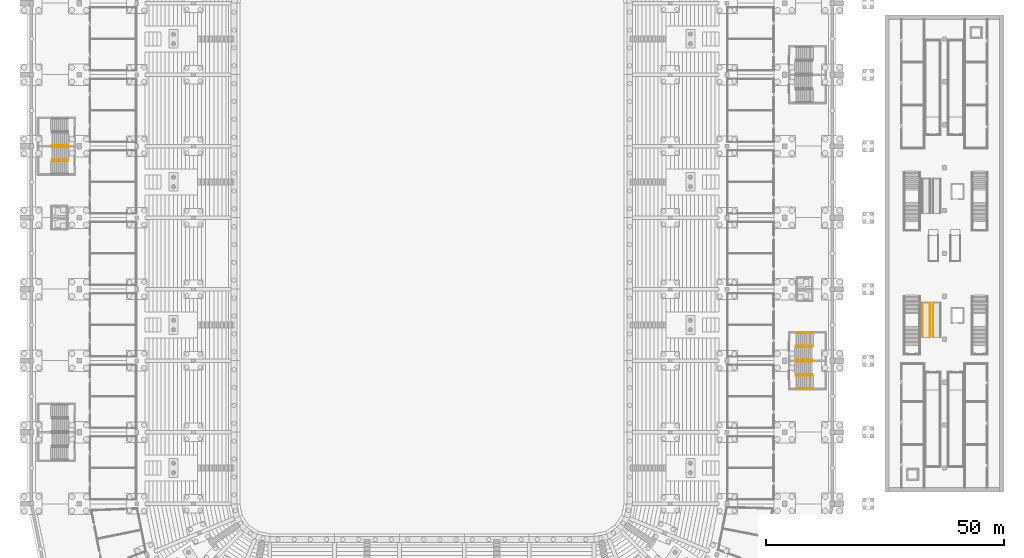
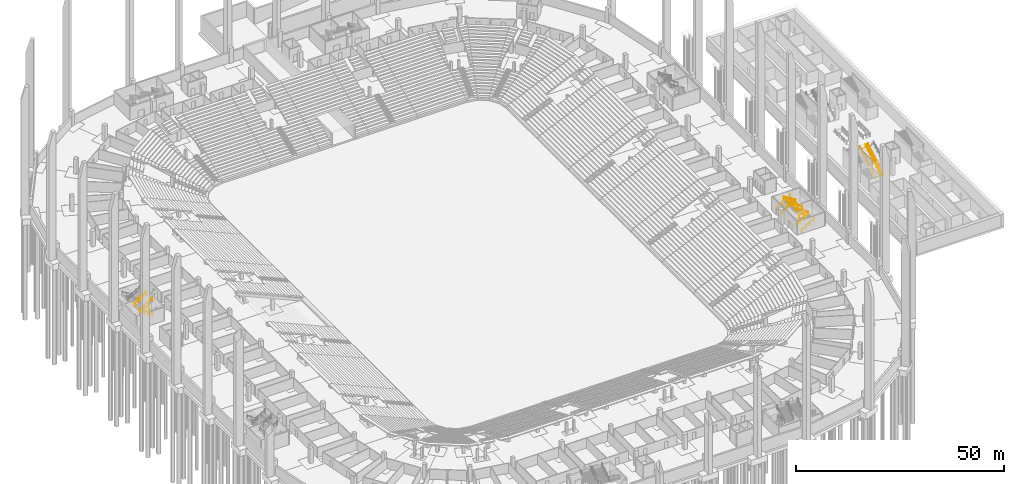
# One storey, part 111 of 115: 18 railings.
"""IFC4 building model written with IfcOpenShell, lengths in metres."""

from ifc_helpers import new_model, si_unit, direction, frame, origin, origin_2d, place, context, subcontext, project, spatial, circle, extrude, material, type_object, element, save


model = new_model("IFC4")

# Units and contexts
model_context = context("Model", 3, precision=1e-05, world=origin(), true_north=direction((0.0, 1.0)))
body_context = subcontext(model_context, "Body", "Model", "MODEL_VIEW")
ifc_project = project(units=[si_unit("LENGTHUNIT", "METRE"), si_unit("AREAUNIT", "SQUARE_METRE"), si_unit("VOLUMEUNIT", "CUBIC_METRE"), si_unit("PLANEANGLEUNIT", "RADIAN"), si_unit("MASSUNIT", "GRAM", prefix="KILO")], contexts=[model_context])

# Site, building, storey
site_placement = place(None, origin())
site = spatial("IfcSite", under=ifc_project, at=site_placement, CompositionType="ELEMENT")
building_placement = place(site_placement, origin())
building = spatial("IfcBuilding", under=site, at=building_placement, Name="Ogive Plaza Stadium", CompositionType="ELEMENT")
storey_placement = place(building_placement, frame((0.0, 0.0, -4.5)))
storey = spatial("IfcBuildingStorey", under=building, at=storey_placement, Name="B1", CompositionType="ELEMENT", Elevation=-4.5)

# Railings
ifc_material_1 = material(Name="Stainless steel", Category="steel")
railing_type_1 = type_object("IfcRailingType", Name="Escalator handrail 900", PredefinedType="HANDRAIL", material=ifc_material_1)
for number, where, name in (
    (1, (102.89990234375, -17.59423828125, 0.346435546875), "Escalator ES3 handrail 1"),
    (2, (104.5, -17.59423828125, 0.346435546875), "Escalator ES3 handrail 2"),
    (3, (105.10009765625, -17.59423828125, 0.346435546875), "Escalator ES4 handrail 1"),
):
    element("IfcRailing", number, at=place(storey_placement, frame(where)), inside=storey, type_object=railing_type_1, Name=name, PredefinedType="HANDRAIL", context=body_context, shape_type="SweptSolid", body=[
        extrude(circle(Radius=0.02392578125, at=origin_2d()), frame((0.0, 0.0, 0.8759765625), z_axis=(0.0, 0.866029956157, 0.499992114976), x_axis=(-1.0, 0.0, 0.0)), (0.0, 0.0, 1.0), 8.307373046875),
        extrude(circle(Radius=0.02099609375, at=origin_2d()), origin(), (0.0, 0.0, 1.0), 0.851806640625),
        extrude(circle(Radius=0.02099609375, at=origin_2d()), frame((0.0, 1.02783203125, 0.59326171875)), (0.0, 0.0, 1.0), 0.851806640625),
        extrude(circle(Radius=0.02099609375, at=origin_2d()), frame((0.0, 2.055419921875, 1.186767578125)), (0.0, 0.0, 1.0), 0.851806640625),
        extrude(circle(Radius=0.02099609375, at=origin_2d()), frame((0.0, 3.083251953125, 1.780029296875)), (0.0, 0.0, 1.0), 0.851806640625),
        extrude(circle(Radius=0.02099609375, at=origin_2d()), frame((0.0, 4.111083984375, 2.37353515625)), (0.0, 0.0, 1.0), 0.851806640625),
        extrude(circle(Radius=0.02099609375, at=origin_2d()), frame((0.0, 5.138916015625, 2.966796875)), (0.0, 0.0, 1.0), 0.851806640625),
        extrude(circle(Radius=0.02099609375, at=origin_2d()), frame((0.0, 6.16650390625, 3.560302734375)), (0.0, 0.0, 1.0), 0.851806640625),
        extrude(circle(Radius=0.02099609375, at=origin_2d()), frame((0.0, 7.1943359375, 4.153564453125)), (0.0, 0.0, 1.0), 0.851806640625),
    ])
ifc_material_2 = material(Name="Steel ASTM A572 Grade 50", Category="steel")
railing_type_2 = type_object("IfcRailingType", Name="Guard 1100", PredefinedType="GUARDRAIL", material=ifc_material_2)
for number, where, name in (
    (4, (77.31005859375, -25.47509765625, 2.25), "Stair well guard ST06A B1"),
    (5, (77.31005859375, -19.52490234375, 2.25), "Stair well guard ST06B B1"),
):
    element("IfcRailing", number, at=place(storey_placement, frame(where)), inside=storey, type_object=railing_type_2, Name=name, PredefinedType="GUARDRAIL", context=body_context, shape_type="SweptSolid", body=[
        extrude(circle(Radius=0.02392578125, at=origin_2d()), frame((0.0, 0.0, 1.076171875), z_axis=(1.0, 0.0, 0.0), x_axis=(0.0, 1.0, 0.0)), (0.0, 0.0, 1.0), 2.39990234375),
        extrude(circle(Radius=0.02099609375, at=origin_2d()), origin(), (0.0, 0.0, 1.0), 1.052001953125),
        extrude(circle(Radius=0.02099609375, at=origin_2d()), frame((1.199951171875, 0.0, 0.0)), (0.0, 0.0, 1.0), 1.052001953125),
        extrude(circle(Radius=0.02099609375, at=origin_2d()), frame((2.39990234375, 0.0, 0.0)), (0.0, 0.0, 1.0), 1.052001953125),
    ])
railing_1_placement = place(storey_placement, frame((-77.31005859375, 19.52490234375, 2.25)))
element("IfcRailing", 6, at=railing_1_placement, inside=storey, type_object=railing_type_2, Name="Stair well guard ST26B B1", PredefinedType="GUARDRAIL", context=body_context, shape_type="SweptSolid", body=[
    extrude(circle(Radius=0.02392578125, at=origin_2d()), frame((0.0, 0.0, 1.076171875), z_axis=(-1.0, 0.0, 0.0), x_axis=(0.0, -1.0, 0.0)), (0.0, 0.0, 1.0), 2.39990234375),
    extrude(circle(Radius=0.02099609375, at=origin_2d()), origin(), (0.0, 0.0, 1.0), 1.052001953125),
    extrude(circle(Radius=0.02099609375, at=origin_2d()), frame((-1.199951171875, 0.0, 0.0)), (0.0, 0.0, 1.0), 1.052001953125),
    extrude(circle(Radius=0.02099609375, at=origin_2d()), frame((-2.39990234375, 0.0, 0.0)), (0.0, 0.0, 1.0), 1.052001953125),
])
ifc_material_3 = material(Name="Steel ASTM A572 Grade 50", Category="steel")
railing_type_3 = type_object("IfcRailingType", Name="Handrail 900", PredefinedType="HANDRAIL", material=ifc_material_3)
for number, where, name in (
    (7, (76.35009765625, -28.264892578125, 0.173095703125), "Handrail ST06A B1"),
    (8, (76.35009765625, -25.5849609375, 0.173095703125), "Handrail ST06A B1"),
):
    element("IfcRailing", number, at=place(storey_placement, frame(where)), inside=storey, type_object=railing_type_3, Name=name, PredefinedType="HANDRAIL", context=body_context, shape_type="SweptSolid", body=[
        extrude(circle(Radius=0.02392578125, at=origin_2d()), frame((0.0, 0.0, 0.8759765625), z_axis=(0.850606129759, 0.0, 0.525803396734), x_axis=(0.0, 1.0, 0.0)), (0.0, 0.0, 1.0), 3.949951171875),
        extrude(circle(Radius=0.02099609375, at=origin_2d()), origin(), (0.0, 0.0, 1.0), 0.851806640625),
        extrude(circle(Radius=0.02099609375, at=origin_2d()), frame((1.119873046875, 0.0, 0.6923828125)), (0.0, 0.0, 1.0), 0.851806640625),
        extrude(circle(Radius=0.02099609375, at=origin_2d()), frame((2.239990234375, 0.0, 1.384521484375)), (0.0, 0.0, 1.0), 0.851806640625),
        extrude(circle(Radius=0.02099609375, at=origin_2d()), frame((3.35986328125, 0.0, 2.076904296875)), (0.0, 0.0, 1.0), 1.10009765625),
    ])
for number, where, name in (
    (9, (79.7099609375, -25.364990234375, 2.423095703125), "Handrail ST06A B1"),
    (10, (79.7099609375, -22.68505859375, 2.423095703125), "Handrail ST06A B1"),
):
    element("IfcRailing", number, at=place(storey_placement, frame(where)), inside=storey, type_object=railing_type_3, Name=name, PredefinedType="HANDRAIL", context=body_context, shape_type="SweptSolid", body=[
        extrude(circle(Radius=0.02392578125, at=origin_2d()), frame((0.0, 0.0, 0.8759765625), z_axis=(-0.850606129759, 0.0, 0.525803396734), x_axis=(0.0, -1.0, 0.0)), (0.0, 0.0, 1.0), 3.949951171875),
        extrude(circle(Radius=0.02099609375, at=origin_2d()), origin(), (0.0, 0.0, 1.0), 0.851806640625),
        extrude(circle(Radius=0.02099609375, at=origin_2d()), frame((-1.119873046875, 0.0, 0.6923828125)), (0.0, 0.0, 1.0), 0.851806640625),
        extrude(circle(Radius=0.02099609375, at=origin_2d()), frame((-2.239990234375, 0.0, 1.384521484375)), (0.0, 0.0, 1.0), 0.851806640625),
        extrude(circle(Radius=0.02099609375, at=origin_2d()), frame((-3.35986328125, 0.0, 2.076904296875)), (0.0, 0.0, 1.0), 1.10009765625),
    ])
for number, where, name in (
    (11, (76.35009765625, -19.4150390625, 0.173095703125), "Handrail ST06B B1"),
    (12, (76.35009765625, -16.735107421875, 0.173095703125), "Handrail ST06B B1"),
):
    element("IfcRailing", number, at=place(storey_placement, frame(where)), inside=storey, type_object=railing_type_3, Name=name, PredefinedType="HANDRAIL", context=body_context, shape_type="SweptSolid", body=[
        extrude(circle(Radius=0.02392578125, at=origin_2d()), frame((0.0, 0.0, 0.8759765625), z_axis=(0.850606129759, 0.0, 0.525803396734), x_axis=(0.0, 1.0, 0.0)), (0.0, 0.0, 1.0), 3.949951171875),
        extrude(circle(Radius=0.02099609375, at=origin_2d()), origin(), (0.0, 0.0, 1.0), 0.851806640625),
        extrude(circle(Radius=0.02099609375, at=origin_2d()), frame((1.119873046875, 0.0, 0.6923828125)), (0.0, 0.0, 1.0), 0.851806640625),
        extrude(circle(Radius=0.02099609375, at=origin_2d()), frame((2.239990234375, 0.0, 1.384521484375)), (0.0, 0.0, 1.0), 0.851806640625),
        extrude(circle(Radius=0.02099609375, at=origin_2d()), frame((3.35986328125, 0.0, 2.076904296875)), (0.0, 0.0, 1.0), 1.10009765625),
    ])
for number, where, name in (
    (13, (79.7099609375, -22.31494140625, 2.423095703125), "Handrail ST06B B1"),
    (14, (79.7099609375, -19.635009765625, 2.423095703125), "Handrail ST06B B1"),
):
    element("IfcRailing", number, at=place(storey_placement, frame(where)), inside=storey, type_object=railing_type_3, Name=name, PredefinedType="HANDRAIL", context=body_context, shape_type="SweptSolid", body=[
        extrude(circle(Radius=0.02392578125, at=origin_2d()), frame((0.0, 0.0, 0.8759765625), z_axis=(-0.850606129759, 0.0, 0.525803396734), x_axis=(0.0, -1.0, 0.0)), (0.0, 0.0, 1.0), 3.949951171875),
        extrude(circle(Radius=0.02099609375, at=origin_2d()), origin(), (0.0, 0.0, 1.0), 0.851806640625),
        extrude(circle(Radius=0.02099609375, at=origin_2d()), frame((-1.119873046875, 0.0, 0.6923828125)), (0.0, 0.0, 1.0), 0.851806640625),
        extrude(circle(Radius=0.02099609375, at=origin_2d()), frame((-2.239990234375, 0.0, 1.384521484375)), (0.0, 0.0, 1.0), 0.851806640625),
        extrude(circle(Radius=0.02099609375, at=origin_2d()), frame((-3.35986328125, 0.0, 2.076904296875)), (0.0, 0.0, 1.0), 1.10009765625),
    ])
railing_2_placement = place(storey_placement, frame((-79.7099609375, 22.68505859375, 2.423095703125)))
element("IfcRailing", 15, at=railing_2_placement, inside=storey, type_object=railing_type_3, Name="Handrail ST26A B1", PredefinedType="HANDRAIL", context=body_context, shape_type="SweptSolid", body=[
    extrude(circle(Radius=0.02392578125, at=origin_2d()), frame((0.0, 0.0, 0.8759765625), z_axis=(0.850606129759, 0.0, 0.525803396734), x_axis=(0.0, 1.0, 0.0)), (0.0, 0.0, 1.0), 3.949951171875),
    extrude(circle(Radius=0.02099609375, at=origin_2d()), origin(), (0.0, 0.0, 1.0), 0.851806640625),
    extrude(circle(Radius=0.02099609375, at=origin_2d()), frame((1.119873046875, 0.0, 0.6923828125)), (0.0, 0.0, 1.0), 0.851806640625),
    extrude(circle(Radius=0.02099609375, at=origin_2d()), frame((2.239990234375, 0.0, 1.384521484375)), (0.0, 0.0, 1.0), 0.851806640625),
    extrude(circle(Radius=0.02099609375, at=origin_2d()), frame((3.35986328125, 0.0, 2.076904296875)), (0.0, 0.0, 1.0), 1.10009765625),
])
railing_3_placement = place(storey_placement, frame((-76.35009765625, 19.4150390625, 0.173095703125)))
element("IfcRailing", 16, at=railing_3_placement, inside=storey, type_object=railing_type_3, Name="Handrail ST26B B1", PredefinedType="HANDRAIL", context=body_context, shape_type="SweptSolid", body=[
    extrude(circle(Radius=0.02392578125, at=origin_2d()), frame((0.0, 0.0, 0.8759765625), z_axis=(-0.850606129759, 0.0, 0.525803396734), x_axis=(0.0, -1.0, 0.0)), (0.0, 0.0, 1.0), 3.949951171875),
    extrude(circle(Radius=0.02099609375, at=origin_2d()), origin(), (0.0, 0.0, 1.0), 0.851806640625),
    extrude(circle(Radius=0.02099609375, at=origin_2d()), frame((-1.119873046875, 0.0, 0.6923828125)), (0.0, 0.0, 1.0), 0.851806640625),
    extrude(circle(Radius=0.02099609375, at=origin_2d()), frame((-2.239990234375, 0.0, 1.384521484375)), (0.0, 0.0, 1.0), 0.851806640625),
    extrude(circle(Radius=0.02099609375, at=origin_2d()), frame((-3.35986328125, 0.0, 2.076904296875)), (0.0, 0.0, 1.0), 1.10009765625),
])
for number, where, name in (
    (17, (-79.7099609375, 22.31494140625, 2.423095703125), "Handrail ST26B B1"),
    (18, (-79.7099609375, 19.635009765625, 2.423095703125), "Handrail ST26B B1"),
):
    element("IfcRailing", number, at=place(storey_placement, frame(where)), inside=storey, type_object=railing_type_3, Name=name, PredefinedType="HANDRAIL", context=body_context, shape_type="SweptSolid", body=[
        extrude(circle(Radius=0.02392578125, at=origin_2d()), frame((0.0, 0.0, 0.8759765625), z_axis=(0.850606129759, 0.0, 0.525803396734), x_axis=(0.0, 1.0, 0.0)), (0.0, 0.0, 1.0), 3.949951171875),
        extrude(circle(Radius=0.02099609375, at=origin_2d()), origin(), (0.0, 0.0, 1.0), 0.851806640625),
        extrude(circle(Radius=0.02099609375, at=origin_2d()), frame((1.119873046875, 0.0, 0.6923828125)), (0.0, 0.0, 1.0), 0.851806640625),
        extrude(circle(Radius=0.02099609375, at=origin_2d()), frame((2.239990234375, 0.0, 1.384521484375)), (0.0, 0.0, 1.0), 0.851806640625),
        extrude(circle(Radius=0.02099609375, at=origin_2d()), frame((3.35986328125, 0.0, 2.076904296875)), (0.0, 0.0, 1.0), 1.10009765625),
    ])

save(model, "model.ifc")
